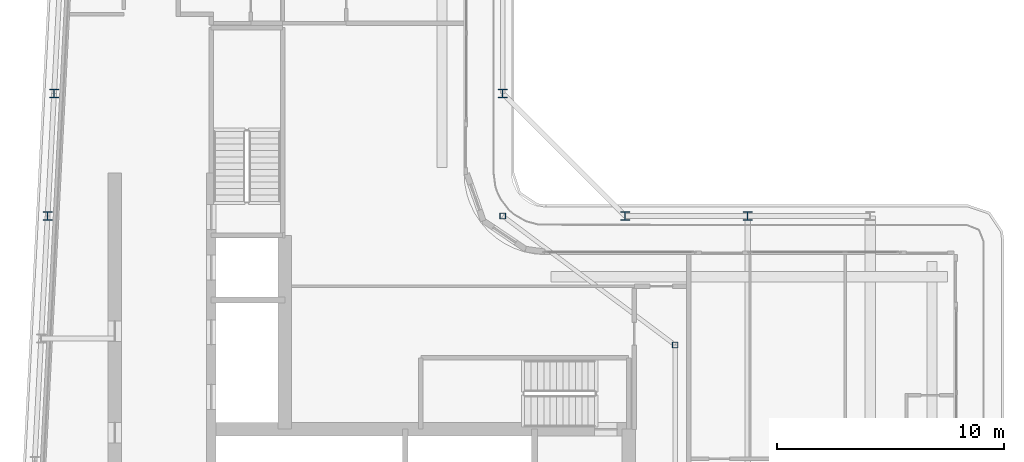
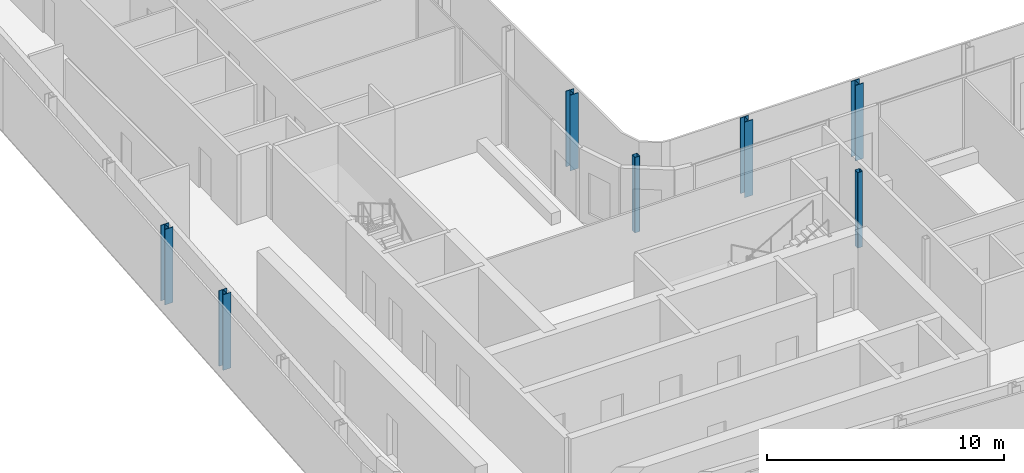
# One storey, part 2 of 21: 7 columns.
"""IFC4 building model written with IfcOpenShell, lengths in metres."""

import ifcopenshell
import ifcopenshell.guid

model = None  # the IFC model being written
_history = None  # IfcOwnerHistory: only IFC2X3 demands one
_inside = {}  # id of a spatial element -> (the spatial element, [elements in it])
_under = {}  # id of a project, library or spatial element -> (it, [spatial elements below it])
_declared = {}  # id of a project -> (the project, [libraries it declares])
_typed = {}  # id of a type object -> (the type object, [elements of that type])
_made_of = {}  # id of a material, layer set ... -> (it, [elements and type objects made of it])


def new_model(schema):
    """Start an empty IFC model of exactly this schema.

    Asked for "IFC4X3", IfcOpenShell would pick the latest addendum, in which some entities
    have other attributes; the version numbers below select the first issue.
    IFC2X3 requires an IfcOwnerHistory on every rooted entity: one is made here for all.
    """
    global model, _history
    if schema == "IFC4X3":
        model = ifcopenshell.file(schema_version=(4, 3, 0, 0))
    else:
        model = ifcopenshell.file(schema=schema)
    _inside.clear()
    _under.clear()
    _declared.clear()
    _typed.clear()
    _made_of.clear()
    _history = None
    if model.schema == "IFC2X3":
        org = make("IfcOrganization", Name="unknown")
        user = make(
            "IfcPersonAndOrganization",
            ThePerson=make("IfcPerson", FamilyName="unknown"),
            TheOrganization=org,
        )
        app = make(
            "IfcApplication",
            ApplicationDeveloper=org,
            Version="unknown",
            ApplicationFullName="unknown",
            ApplicationIdentifier="unknown",
        )
        _history = make(
            "IfcOwnerHistory",
            OwningUser=user,
            OwningApplication=app,
            ChangeAction="ADDED",
            CreationDate=0,
        )
    return model


def make(cls, **values):
    """One entity of the class cls with the attributes given. An attribute that is None is left unset."""
    return model.create_entity(
        cls, **{name: value for name, value in values.items() if value is not None}
    )


def rooted(cls, **values):
    """An entity with a GlobalId (a new one), such as an element, a storey or a relation."""
    return make(cls, GlobalId=ifcopenshell.guid.new(), OwnerHistory=_history, **values)


def si_unit(unit_type, name, prefix=None):
    """IfcSIUnit, for example si_unit("LENGTHUNIT", "METRE", prefix="MILLI")."""
    return make("IfcSIUnit", UnitType=unit_type, Prefix=prefix, Name=name)


def assignment(units):
    """IfcUnitAssignment: the units of a project."""
    return None if units is None else make("IfcUnitAssignment", Units=units)


def point(xyz):
    """IfcCartesianPoint."""
    return None if xyz is None else make("IfcCartesianPoint", Coordinates=xyz)


def direction(xyz):
    """IfcDirection."""
    return None if xyz is None else make("IfcDirection", DirectionRatios=xyz)


def frame(location, z_axis=None, x_axis=None):
    """IfcAxis2Placement3D, a coordinate frame: its origin and axes. An axis left out is left unset."""
    return make(
        "IfcAxis2Placement3D",
        Location=point(location),
        Axis=direction(z_axis),
        RefDirection=direction(x_axis),
    )


def frame_2d(location, x_axis=None):
    """IfcAxis2Placement2D, a coordinate frame in the plane: its origin and x axis."""
    return make(
        "IfcAxis2Placement2D", Location=point(location), RefDirection=direction(x_axis)
    )


def origin():
    """The frame at (0, 0, 0) with its axes left unset."""
    return frame((0.0, 0.0, 0.0))


def origin_2d():
    """The frame at (0, 0) in the plane with its x axis left unset."""
    return frame_2d((0.0, 0.0))


def place(relative_to, where):
    """IfcLocalPlacement: puts the frame where relative to a parent placement (None: the world)."""
    return make(
        "IfcLocalPlacement", PlacementRelTo=relative_to, RelativePlacement=where
    )


def context(
    kind, dimensions, precision=None, world=None, true_north=None, identifier=None
):
    """IfcGeometricRepresentationContext, for example the 3D "Model" context."""
    return make(
        "IfcGeometricRepresentationContext",
        ContextIdentifier=identifier,
        ContextType=kind,
        CoordinateSpaceDimension=dimensions,
        Precision=precision,
        WorldCoordinateSystem=world,
        TrueNorth=true_north,
    )


def subcontext(parent, identifier, kind, view, scale=None):
    """IfcGeometricRepresentationSubContext, for example "Body" below "Model"."""
    return make(
        "IfcGeometricRepresentationSubContext",
        ContextIdentifier=identifier,
        ContextType=kind,
        ParentContext=parent,
        TargetScale=scale,
        TargetView=view,
    )


def project(units=None, contexts=None):
    """IfcProject with its units and contexts."""
    return rooted(
        "IfcProject",
        Name="project",
        RepresentationContexts=contexts,
        UnitsInContext=assignment(units),
    )


def spatial(cls, under=None, at=None, **own):
    """A site, building, storey or space (cls), placed at a placement, below another one or the project."""
    s = rooted(cls, ObjectPlacement=at, **own)
    if under is not None:
        _under.setdefault(under.id(), (under, []))[1].append(s)
    return s


def profile(cls, at=None, kind="AREA", **sizes):
    """A parametric profile (cls). Its sizes go by their IFC names, for example OverallWidth=200.0."""
    return make(cls, ProfileType=kind, Position=at, **sizes)


def hollow_rectangle(**sizes):
    """IfcRectangleHollowProfileDef."""
    return profile("IfcRectangleHollowProfileDef", **sizes)


def i_section(**sizes):
    """IfcIShapeProfileDef."""
    return profile("IfcIShapeProfileDef", **sizes)


def extrude(swept, where, along, depth):
    """IfcExtrudedAreaSolid: the profile swept, set in the frame where, extruded along a direction by depth."""
    return make(
        "IfcExtrudedAreaSolid",
        SweptArea=swept,
        Position=where,
        ExtrudedDirection=direction(along),
        Depth=depth,
    )


def shape(context_of_items, identifier, shape_type, items):
    """IfcShapeRepresentation: the items that make up one representation, for example the "Body"."""
    return make(
        "IfcShapeRepresentation",
        ContextOfItems=context_of_items,
        RepresentationIdentifier=identifier,
        RepresentationType=shape_type,
        Items=items,
    )


def material(Name=None, Category=None):
    """IfcMaterial."""
    return make("IfcMaterial", Name=Name, Category=Category)


def material_profile(
    of_material, cross_section, Name=None, Category=None, Priority=None
):
    """IfcMaterialProfile: a cross section and its material."""
    return make(
        "IfcMaterialProfile",
        Name=Name,
        Material=of_material,
        Profile=cross_section,
        Priority=Priority,
        Category=Category,
    )


def profile_set(profiles, Name=None, composite=None):
    """IfcMaterialProfileSet."""
    return make(
        "IfcMaterialProfileSet",
        Name=Name,
        MaterialProfiles=profiles,
        CompositeProfile=composite,
    )


def made_of(thing, what):
    """Note that an element or type object is made of a material, layer set ...; save() writes the relation."""
    if what is not None:
        _made_of.setdefault(what.id(), (what, []))[1].append(thing)
    return thing


def type_object(cls, material=None, **own):
    """A type object (cls), such as IfcWallType, which elements share."""
    return made_of(rooted(cls, **own), material)


def element(
    cls,
    number,
    at=None,
    inside=None,
    cuts=None,
    type_object=None,
    material=None,
    context=None,
    identifier="Body",
    shape_type=None,
    held_by="IfcProductDefinitionShape",
    body=None,
    shapes=None,
    **own,
):
    """One element of the class cls, such as IfcWall. Its Tag is "e" and its number.

    at: its placement. inside: the storey or other place that contains it. cuts: it is an
    opening in that element (IfcRelVoidsElement). A single representation is given by context,
    identifier, shape_type and body (its items); several are given by shapes. held_by: the class
    of the entity that holds the representations. save() writes the other relations.
    """
    e = rooted(cls, Tag="e%d" % number, ObjectPlacement=at, **own)
    if body is not None:
        shapes = [shape(context, identifier, shape_type, body)]
    if shapes is not None:
        e.Representation = make(held_by, Representations=shapes)
    if inside is not None:
        _inside.setdefault(inside.id(), (inside, []))[1].append(e)
    if cuts is not None:
        rooted(
            "IfcRelVoidsElement", RelatingBuildingElement=cuts, RelatedOpeningElement=e
        )
    if type_object is not None:
        _typed.setdefault(type_object.id(), (type_object, []))[1].append(e)
    return made_of(e, material)


def aggregate(whole, parts):
    """IfcRelAggregates: a whole, such as a stair, and the parts it consists of."""
    return rooted("IfcRelAggregates", RelatingObject=whole, RelatedObjects=parts)


def save(model, path):
    """Write the relations noted so far, then the file.

    IfcRelAggregates (storeys below a building ...), IfcRelContainedInSpatialStructure (elements
    in a storey), IfcRelDefinesByType, IfcRelAssociatesMaterial and IfcRelDeclares: one each for
    every whole, place, type object, material and project.
    """
    for whole, parts in _under.values():
        aggregate(whole, parts)
    for where, things in _inside.values():
        rooted(
            "IfcRelContainedInSpatialStructure",
            RelatedElements=things,
            RelatingStructure=where,
        )
    for kind, things in _typed.values():
        rooted("IfcRelDefinesByType", RelatedObjects=things, RelatingType=kind)
    for what, things in _made_of.values():
        rooted("IfcRelAssociatesMaterial", RelatedObjects=things, RelatingMaterial=what)
    for by, libraries in _declared.values():
        rooted("IfcRelDeclares", RelatingContext=by, RelatedDefinitions=libraries)
    model.write(path)


model = new_model("IFC4")

# Units and contexts
model_context = context("Model", 3, precision=1e-05, world=origin(), true_north=direction((0.0, 1.0)))
body_context = subcontext(model_context, "Body", "Model", "MODEL_VIEW")
ifc_project = project(units=[si_unit("LENGTHUNIT", "METRE"), si_unit("AREAUNIT", "SQUARE_METRE"), si_unit("VOLUMEUNIT", "CUBIC_METRE"), si_unit("PLANEANGLEUNIT", "RADIAN"), si_unit("MASSUNIT", "GRAM", prefix="KILO")], contexts=[model_context])

# Site, building, storey
site_placement = place(None, origin())
site = spatial("IfcSite", under=ifc_project, at=site_placement, CompositionType="ELEMENT")
building_placement = place(site_placement, origin())
building = spatial("IfcBuilding", under=site, at=building_placement, Name="Kheshtan School and Residences Tower", CompositionType="ELEMENT")
storey_placement = place(building_placement, frame((0.0, 0.0, 305.89990234375)))
storey = spatial("IfcBuildingStorey", under=building, at=storey_placement, Name="L72", CompositionType="ELEMENT", Elevation=305.89990234375)

# Columns
ifc_material_1 = material(Name="Steel ASTM A992 Grade 50", Category="steel")
ifc_material_profile_1 = material_profile(ifc_material_1, i_section(OverallWidth=0.39501953125, OverallDepth=0.3798828125, WebThickness=0.018798828125, FlangeThickness=0.0302734375, FilletRadius=0.011474609375, at=origin_2d()), Name="W360x237")
ifc_profile_set_1 = profile_set([ifc_material_profile_1], Name="Steel ASTM A992 Grade 50")
column_type_1 = type_object("IfcColumnType", Name="Column C5 W360x237 ASTM A992 Grade 50", PredefinedType="COLUMN", material=ifc_profile_set_1)
for number, where, z_axis, x_axis, name in (
    (1, (27.537109375, 45.60009765625, 0.0), (0.0, 0.0, 1.0), (1.0, 0.0, 0.0), "Column C059"),
    (2, (53.0, 45.60009765625, 0.0), (0.0, 0.0, 1.0), (1.0, 0.0, 0.0), "Column C061"),
    (3, (58.39990234375, 45.60009765625, 0.0), (0.0, 0.0, 1.0), (1.0, 0.0, 0.0), "Column C062"),
    (4, (27.822021484375, 51.0, 0.0), (0.0, 0.0, 1.0), (1.0, 0.0, 0.0), "Column C078"),
    (5, (47.60009765625, 51.0, 0.0), (0.0, 0.0, 1.0), (1.0, 0.0, 0.0), "Column C079"),
):
    element("IfcColumn", number, at=place(storey_placement, frame(where, z_axis=z_axis, x_axis=x_axis)), inside=storey, type_object=column_type_1, Name=name, PredefinedType="COLUMN", context=body_context, shape_type="SweptSolid", body=[
        extrude(i_section(OverallWidth=0.39501953125, OverallDepth=0.3798828125, WebThickness=0.018798828125, FlangeThickness=0.0302734375, FilletRadius=0.011474609375, at=origin_2d()), origin(), (0.0, 0.0, 1.0), 3.900146484375),
    ])
ifc_material_2 = material(Name="Steel ASTM A500 Grade C", Category="steel")
ifc_material_profile_2 = material_profile(ifc_material_2, hollow_rectangle(XDim=0.25390625, YDim=0.25390625, WallThickness=0.0126953125, InnerFilletRadius=0.0126953125, OuterFilletRadius=0.025390625, at=origin_2d()), Name="HSS 254x254x12.7")
ifc_profile_set_2 = profile_set([ifc_material_profile_2], Name="Steel ASTM A500 Grade C")
column_type_2 = type_object("IfcColumnType", Name="Column IC3 HSS 254x254x12.7 ASTM A500 Grade C", PredefinedType="COLUMN", material=ifc_profile_set_2)
for number, where, z_axis, x_axis, name in (
    (6, (55.199951171875, 39.916015625, 0.0), (0.0, 0.0, 1.0), (1.0, 0.0, 0.0), "Column C055"),
    (7, (47.60009765625, 45.60009765625, 0.0), (0.0, 0.0, 1.0), (1.0, 0.0, 0.0), "Column C060"),
):
    element("IfcColumn", number, at=place(storey_placement, frame(where, z_axis=z_axis, x_axis=x_axis)), inside=storey, type_object=column_type_2, Name=name, PredefinedType="COLUMN", context=body_context, shape_type="SweptSolid", body=[
        extrude(hollow_rectangle(XDim=0.25390625, YDim=0.25390625, WallThickness=0.0126953125, InnerFilletRadius=0.0126953125, OuterFilletRadius=0.025390625, at=origin_2d()), origin(), (0.0, 0.0, 1.0), 3.900146484375),
    ])

save(model, "model.ifc")
